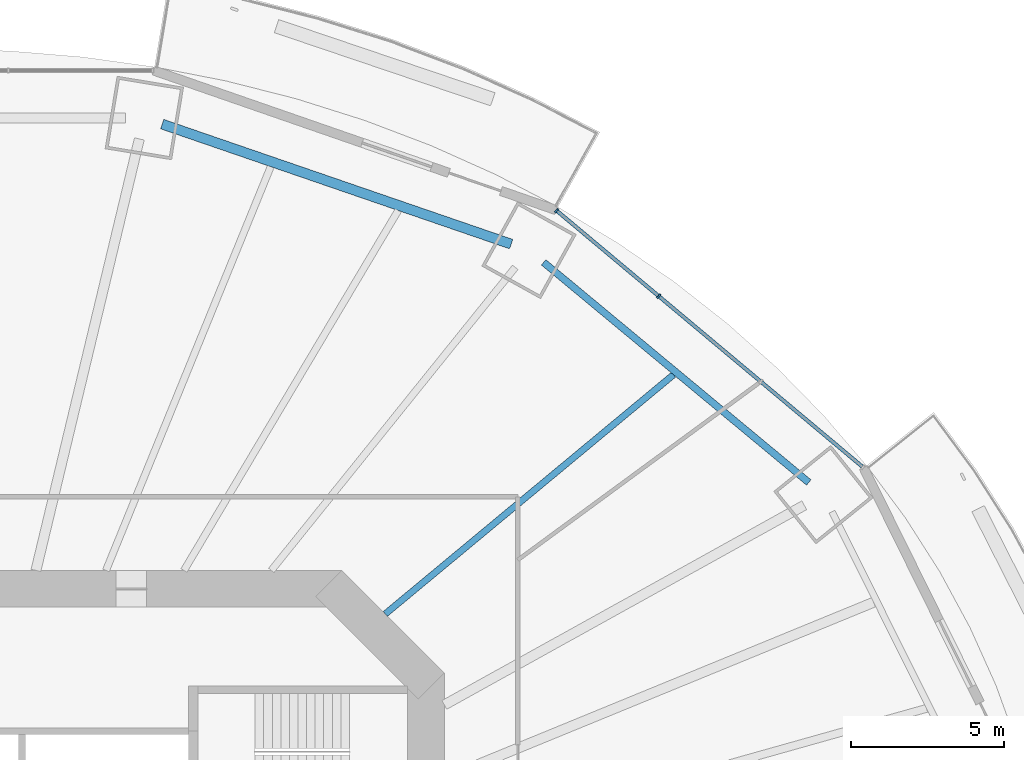
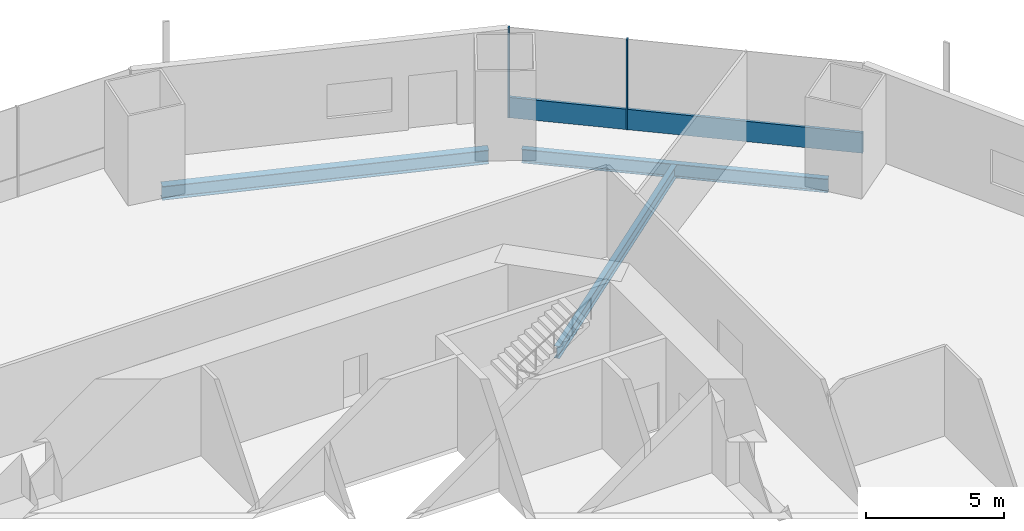
# One storey, part 10 of 23: 3 beams, 3 members, 1 element without a shape of its own.
"""IFC4 building model written with IfcOpenShell, lengths in metres."""

from ifc_helpers import new_model, si_unit, direction, frame, origin, origin_2d, place, context, subcontext, project, spatial, rectangle, i_section, extrude, material, material_profile, profile_set, type_object, element, aggregate, save


model = new_model("IFC4")

# Units and contexts
model_context = context("Model", 3, precision=1e-05, world=origin(), true_north=direction((0.0, 1.0)))
body_context = subcontext(model_context, "Body", "Model", "MODEL_VIEW")
ifc_project = project(units=[si_unit("LENGTHUNIT", "METRE"), si_unit("AREAUNIT", "SQUARE_METRE"), si_unit("VOLUMEUNIT", "CUBIC_METRE"), si_unit("PLANEANGLEUNIT", "RADIAN"), si_unit("MASSUNIT", "GRAM", prefix="KILO")], contexts=[model_context])

# Site, building, storey
site_placement = place(None, origin())
site = spatial("IfcSite", under=ifc_project, at=site_placement, CompositionType="ELEMENT")
building_placement = place(site_placement, origin())
building = spatial("IfcBuilding", under=site, at=building_placement, Name="Marenthal Gate Tower", CompositionType="ELEMENT")
storey_placement = place(building_placement, frame((0.0, 0.0, 45.449951171875)))
storey = spatial("IfcBuildingStorey", under=building, at=storey_placement, Name="L07", CompositionType="ELEMENT", Elevation=45.449951171875)

# Curtain wall, members
ifc_material_1 = material(Name="Aluminium and glass", Category="aluminium")
curtain_wall_type = type_object("IfcCurtainWallType", Name="Curtain wall typical low", PredefinedType="NOTDEFINED", material=ifc_material_1)
curtain_wall_placement = place(storey_placement, origin())
curtain_wall = element("IfcCurtainWall", 1, at=curtain_wall_placement, inside=storey, type_object=curtain_wall_type, Name="Curtain wall L07 bay 2", PredefinedType="NOTDEFINED")
ifc_material_2 = material(Name="Aluminium", Category="aluminium")
ifc_material_profile_1 = material_profile(ifc_material_2, rectangle(XDim=0.159912109375, YDim=0.06005859375, at=origin_2d()), Name="60x160 aluminium mullion")
ifc_profile_set_1 = profile_set([ifc_material_profile_1], Name="Aluminium")
member_type_1 = type_object("IfcMemberType", Name="Mullion 60x160 typical low", PredefinedType="MULLION", material=ifc_profile_set_1)
member_1_placement = place(storey_placement, frame((23.6025390625, 22.5595703125, 0.0), z_axis=(0.0, 0.0, 1.0), x_axis=(-0.642047277641, -0.766665046336, 0.0)))
member_1 = element("IfcMember", 2, at=member_1_placement, type_object=member_type_1, Name="Mullion L07 bay 2.3", PredefinedType="MULLION", context=body_context, shape_type="SweptSolid", body=[
    extrude(rectangle(XDim=0.159912109375, YDim=0.06005859375, at=origin_2d()), origin(), (0.0, 0.0, 1.0), 3.969970703125),
])
member_2_placement = place(storey_placement, frame((20.266845703125, 25.35302734375, 0.0), z_axis=(0.0, 0.0, 1.0), x_axis=(-0.642047277641, -0.766665046336, 0.0)))
member_2 = element("IfcMember", 3, at=member_2_placement, type_object=member_type_1, Name="Mullion L07 bay 2.4", PredefinedType="MULLION", context=body_context, shape_type="SweptSolid", body=[
    extrude(rectangle(XDim=0.159912109375, YDim=0.06005859375, at=origin_2d()), origin(), (0.0, 0.0, 1.0), 3.969970703125),
])
ifc_material_3 = material(Name="Aluminium", Category="aluminium")
ifc_material_profile_2 = material_profile(ifc_material_3, rectangle(XDim=0.1201171875, YDim=0.89990234375, at=origin_2d()), Name="120x900 aluminium transom")
ifc_profile_set_2 = profile_set([ifc_material_profile_2], Name="Aluminium")
member_type_2 = type_object("IfcMemberType", Name="Transom 120x900 typical low", PredefinedType="USERDEFINED", material=ifc_profile_set_2)
member_3_placement = place(storey_placement, frame((30.251220703125, 16.99169921875, 0.449951171875), z_axis=(-0.766672707648, 0.6420381292, 0.0), x_axis=(-0.6420381292, -0.766672707648, 0.0)))
member_3 = element("IfcMember", 4, at=member_3_placement, type_object=member_type_2, Name="Transom L07 bay 2", ObjectType="TRANSOM", PredefinedType="USERDEFINED", context=body_context, shape_type="SweptSolid", body=[
    extrude(rectangle(XDim=0.1201171875, YDim=0.89990234375, at=origin_2d()), origin(), (0.0, 0.0, 1.0), 12.9931640625),
])
aggregate(curtain_wall, [member_1, member_2, member_3])

# Beams
ifc_material_4 = material(Name="Steel S355", Category="steel")
ifc_material_profile_3 = material_profile(ifc_material_4, i_section(OverallWidth=0.2119140625, OverallDepth=0.5439453125, WebThickness=0.01318359375, FlangeThickness=0.021240234375, FilletRadius=0.0126953125, at=origin_2d()), Name="W530X123")
ifc_profile_set_3 = profile_set([ifc_material_profile_3], Name="Steel S355")
beam_type_1 = type_object("IfcBeamType", Name="W530X123 beam", PredefinedType="BEAM", material=ifc_profile_set_3)
beam_1_placement = place(storey_placement, frame((24.085205078125, 19.99267578125, -0.451904296875), z_axis=(-0.769446518411, -0.638711245639, 0.0), x_axis=(0.638711245639, -0.769446518411, 0.0)))
element("IfcBeam", 5, at=beam_1_placement, inside=storey, type_object=beam_type_1, Name="BM-L07-19", PredefinedType="BEAM", context=body_context, shape_type="SweptSolid", body=[
    extrude(i_section(OverallWidth=0.2119140625, OverallDepth=0.5439453125, WebThickness=0.01318359375, FlangeThickness=0.021240234375, FilletRadius=0.0126953125, at=origin_2d()), origin(), (0.0, 0.0, 1.0), 12.235595703125),
])
ifc_material_5 = material(Name="Steel S355", Category="steel")
ifc_material_profile_4 = material_profile(ifc_material_5, i_section(OverallWidth=0.22900390625, OverallDepth=0.612060546875, WebThickness=0.011962890625, FlangeThickness=0.01953125, FilletRadius=0.0126953125, at=origin_2d()), Name="W610X125")
ifc_profile_set_4 = profile_set([ifc_material_profile_4], Name="Steel S355")
beam_type_2 = type_object("IfcBeamType", Name="W610X125 beam", PredefinedType="BEAM", material=ifc_profile_set_4)
beam_2_placement = place(storey_placement, frame((28.50439453125, 16.472900390625, -0.48583984375), z_axis=(-0.76943582663, 0.638724125658, 0.0), x_axis=(-0.638724125658, -0.76943582663, 0.0)))
element("IfcBeam", 6, at=beam_2_placement, inside=storey, type_object=beam_type_2, Name="BM-L07-42", PredefinedType="BEAM", context=body_context, shape_type="SweptSolid", body=[
    extrude(i_section(OverallWidth=0.22900390625, OverallDepth=0.612060546875, WebThickness=0.011962890625, FlangeThickness=0.01953125, FilletRadius=0.0126953125, at=origin_2d()), origin(), (0.0, 0.0, 1.0), 11.257080078125),
])
ifc_material_6 = material(Name="Steel S355", Category="steel")
ifc_material_profile_5 = material_profile(ifc_material_6, i_section(OverallWidth=0.324951171875, OverallDepth=0.612060546875, WebThickness=0.0126953125, FlangeThickness=0.01904296875, FilletRadius=0.0126953125, at=origin_2d()), Name="W610X155")
ifc_profile_set_5 = profile_set([ifc_material_profile_5], Name="Steel S355")
beam_type_3 = type_object("IfcBeamType", Name="W610X155 beam", PredefinedType="BEAM", material=ifc_profile_set_5)
beam_3_placement = place(storey_placement, frame((18.782470703125, 24.25927734375, -0.48583984375), z_axis=(-0.945659940371, 0.325157311431, 0.0), x_axis=(-0.325157311431, -0.945659940371, 0.0)))
element("IfcBeam", 7, at=beam_3_placement, inside=storey, type_object=beam_type_3, Name="BM-L07-43", PredefinedType="BEAM", context=body_context, shape_type="SweptSolid", body=[
    extrude(i_section(OverallWidth=0.324951171875, OverallDepth=0.612060546875, WebThickness=0.0126953125, FlangeThickness=0.01904296875, FilletRadius=0.0126953125, at=origin_2d()), origin(), (0.0, 0.0, 1.0), 12.0546875),
])

save(model, "model.ifc")
